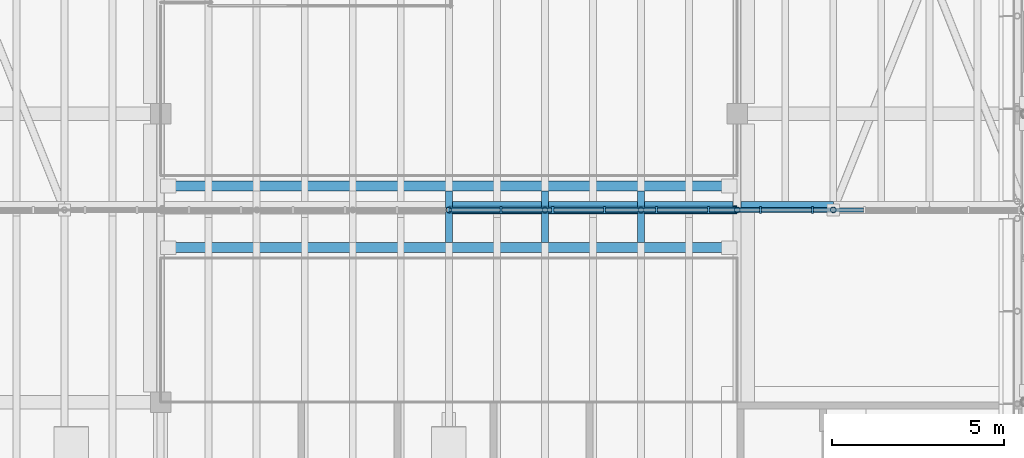
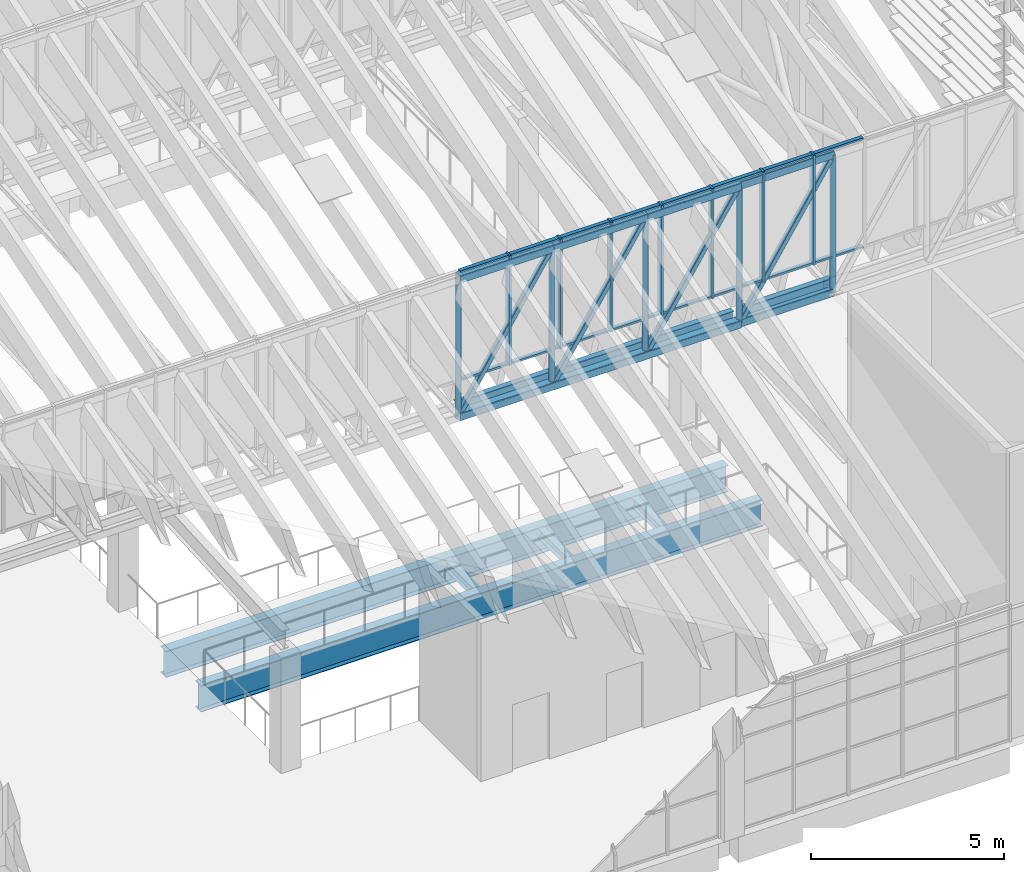
# One storey, part 11 of 91: 38 members, 9 beams, 1 element without a shape of its own.
"""IFC4 building model written with IfcOpenShell, lengths in metres."""

from ifc_helpers import new_model, si_unit, direction, frame, origin, origin_2d, place, context, subcontext, project, spatial, rectangle, hollow_rectangle, hollow_circle, i_section, extrude, material, material_profile, profile_set, type_object, element, aggregate, save


model = new_model("IFC4")

# Units and contexts
model_context = context("Model", 3, precision=1e-05, world=origin(), true_north=direction((0.0, 1.0)))
body_context = subcontext(model_context, "Body", "Model", "MODEL_VIEW")
ifc_project = project(units=[si_unit("LENGTHUNIT", "METRE"), si_unit("AREAUNIT", "SQUARE_METRE"), si_unit("VOLUMEUNIT", "CUBIC_METRE"), si_unit("PLANEANGLEUNIT", "RADIAN"), si_unit("MASSUNIT", "GRAM", prefix="KILO")], contexts=[model_context])

# Site, building, storey
site_placement = place(None, origin())
site = spatial("IfcSite", under=ifc_project, at=site_placement, CompositionType="ELEMENT")
building_placement = place(site_placement, origin())
building = spatial("IfcBuilding", under=site, at=building_placement, Name="Almond Square Museum", CompositionType="ELEMENT")
storey_placement = place(building_placement, frame((0.0, 0.0, 30.0)))
storey = spatial("IfcBuildingStorey", under=building, at=storey_placement, Name="L05", CompositionType="ELEMENT", Elevation=30.0)

# Curtain wall, members
ifc_material_1 = material(Name="Aluminium and laminated glass", Category="aluminium")
curtain_wall_type = type_object("IfcCurtainWallType", Name="Unitised curtain wall 1500 module", PredefinedType="NOTDEFINED", material=ifc_material_1)
curtain_wall_placement = place(storey_placement, origin())
curtain_wall = element("IfcCurtainWall", 1, at=curtain_wall_placement, inside=storey, type_object=curtain_wall_type, Name="Rooflight glazing AG1", PredefinedType="NOTDEFINED")
ifc_material_2 = material(Name="Anodised aluminium", Category="aluminium")
ifc_material_profile_1 = material_profile(ifc_material_2, rectangle(XDim=0.199951171875, YDim=0.06005859375, at=origin_2d()))
ifc_profile_set_1 = profile_set([ifc_material_profile_1], Name="Anodised aluminium")
member_type_1 = type_object("IfcMemberType", Name="Aluminium mullion 60 x 200", PredefinedType="MULLION", material=ifc_profile_set_1)
member_1_placement = place(storey_placement, frame((91.513671875, 81.199951171875, 5.800048828125), z_axis=(0.0, 0.0, 1.0), x_axis=(0.0, 1.0, 0.0)))
member_1 = element("IfcMember", 2, at=member_1_placement, type_object=member_type_1, Name="CW-56 mullion 13", PredefinedType="MULLION", context=body_context, shape_type="SweptSolid", body=[
    extrude(rectangle(XDim=0.199951171875, YDim=0.06005859375, at=origin_2d()), origin(), (0.0, 0.0, 1.0), 3.480224609375),
])
member_2_placement = place(storey_placement, frame((93.02734375, 81.199951171875, 5.800048828125), z_axis=(0.0, 0.0, 1.0), x_axis=(0.0, 1.0, 0.0)))
member_2 = element("IfcMember", 3, at=member_2_placement, type_object=member_type_1, Name="CW-56 mullion 14", PredefinedType="MULLION", context=body_context, shape_type="SweptSolid", body=[
    extrude(rectangle(XDim=0.199951171875, YDim=0.06005859375, at=origin_2d()), origin(), (0.0, 0.0, 1.0), 3.480224609375),
])
member_3_placement = place(storey_placement, frame((94.541015625, 81.199951171875, 5.800048828125), z_axis=(0.0, 0.0, 1.0), x_axis=(0.0, 1.0, 0.0)))
member_3 = element("IfcMember", 4, at=member_3_placement, type_object=member_type_1, Name="CW-56 mullion 15", PredefinedType="MULLION", context=body_context, shape_type="SweptSolid", body=[
    extrude(rectangle(XDim=0.199951171875, YDim=0.06005859375, at=origin_2d()), origin(), (0.0, 0.0, 1.0), 3.480224609375),
])
member_4_placement = place(storey_placement, frame((96.054443359375, 81.199951171875, 5.800048828125), z_axis=(0.0, 0.0, 1.0), x_axis=(0.0, 1.0, 0.0)))
member_4 = element("IfcMember", 5, at=member_4_placement, type_object=member_type_1, Name="CW-56 mullion 16", PredefinedType="MULLION", context=body_context, shape_type="SweptSolid", body=[
    extrude(rectangle(XDim=0.199951171875, YDim=0.06005859375, at=origin_2d()), origin(), (0.0, 0.0, 1.0), 3.480224609375),
])
member_5_placement = place(storey_placement, frame((97.568115234375, 81.199951171875, 5.800048828125), z_axis=(0.0, 0.0, 1.0), x_axis=(0.0, 1.0, 0.0)))
member_5 = element("IfcMember", 6, at=member_5_placement, type_object=member_type_1, Name="CW-56 mullion 17", PredefinedType="MULLION", context=body_context, shape_type="SweptSolid", body=[
    extrude(rectangle(XDim=0.199951171875, YDim=0.06005859375, at=origin_2d()), origin(), (0.0, 0.0, 1.0), 3.480224609375),
])
member_6_placement = place(storey_placement, frame((99.081787109375, 81.199951171875, 5.800048828125), z_axis=(0.0, 0.0, 1.0), x_axis=(0.0, 1.0, 0.0)))
member_6 = element("IfcMember", 7, at=member_6_placement, type_object=member_type_1, Name="CW-56 mullion 18", PredefinedType="MULLION", context=body_context, shape_type="SweptSolid", body=[
    extrude(rectangle(XDim=0.199951171875, YDim=0.06005859375, at=origin_2d()), origin(), (0.0, 0.0, 1.0), 3.480224609375),
])
member_7_placement = place(storey_placement, frame((100.595458984375, 81.199951171875, 5.800048828125), z_axis=(0.0, 0.0, 1.0), x_axis=(0.0, 1.0, 0.0)))
member_7 = element("IfcMember", 8, at=member_7_placement, type_object=member_type_1, Name="CW-56 mullion 19", PredefinedType="MULLION", context=body_context, shape_type="SweptSolid", body=[
    extrude(rectangle(XDim=0.199951171875, YDim=0.06005859375, at=origin_2d()), origin(), (0.0, 0.0, 1.0), 3.480224609375),
])
ifc_material_3 = material(Name="Anodised aluminium", Category="aluminium")
ifc_material_profile_2 = material_profile(ifc_material_3, rectangle(XDim=0.1201171875, YDim=0.06005859375, at=origin_2d()))
ifc_profile_set_2 = profile_set([ifc_material_profile_2], Name="Anodised aluminium")
member_type_2 = type_object("IfcMemberType", Name="Aluminium transom 60 x 120", PredefinedType="USERDEFINED", material=ifc_profile_set_2)
member_8_placement = place(storey_placement, frame((90.030029296875, 81.199951171875, 5.830078125), z_axis=(1.0, 0.0, 0.0), x_axis=(0.0, 1.0, 0.0)))
member_8 = element("IfcMember", 9, at=member_8_placement, type_object=member_type_2, Name="CW-56 transom 12.1", ObjectType="TRANSOM", PredefinedType="USERDEFINED", context=body_context, shape_type="SweptSolid", body=[
    extrude(rectangle(XDim=0.1201171875, YDim=0.06005859375, at=origin_2d()), origin(), (0.0, 0.0, 1.0), 1.45361328125),
])
member_9_placement = place(storey_placement, frame((90.030029296875, 81.199951171875, 9.250244140625), z_axis=(1.0, 0.0, 0.0), x_axis=(0.0, 1.0, 0.0)))
member_9 = element("IfcMember", 10, at=member_9_placement, type_object=member_type_2, Name="CW-56 transom 12.2", ObjectType="TRANSOM", PredefinedType="USERDEFINED", context=body_context, shape_type="SweptSolid", body=[
    extrude(rectangle(XDim=0.1201171875, YDim=0.06005859375, at=origin_2d()), origin(), (0.0, 0.0, 1.0), 1.45361328125),
])
member_10_placement = place(storey_placement, frame((91.543701171875, 81.199951171875, 5.830078125), z_axis=(1.0, 0.0, 0.0), x_axis=(0.0, 1.0, 0.0)))
member_10 = element("IfcMember", 11, at=member_10_placement, type_object=member_type_2, Name="CW-56 transom 13.1", ObjectType="TRANSOM", PredefinedType="USERDEFINED", context=body_context, shape_type="SweptSolid", body=[
    extrude(rectangle(XDim=0.1201171875, YDim=0.06005859375, at=origin_2d()), origin(), (0.0, 0.0, 1.0), 1.45361328125),
])
member_11_placement = place(storey_placement, frame((91.543701171875, 81.199951171875, 9.250244140625), z_axis=(1.0, 0.0, 0.0), x_axis=(0.0, 1.0, 0.0)))
member_11 = element("IfcMember", 12, at=member_11_placement, type_object=member_type_2, Name="CW-56 transom 13.2", ObjectType="TRANSOM", PredefinedType="USERDEFINED", context=body_context, shape_type="SweptSolid", body=[
    extrude(rectangle(XDim=0.1201171875, YDim=0.06005859375, at=origin_2d()), origin(), (0.0, 0.0, 1.0), 1.45361328125),
])
member_12_placement = place(storey_placement, frame((93.057373046875, 81.199951171875, 5.830078125), z_axis=(1.0, 0.0, 0.0), x_axis=(0.0, 1.0, 0.0)))
member_12 = element("IfcMember", 13, at=member_12_placement, type_object=member_type_2, Name="CW-56 transom 14.1", ObjectType="TRANSOM", PredefinedType="USERDEFINED", context=body_context, shape_type="SweptSolid", body=[
    extrude(rectangle(XDim=0.1201171875, YDim=0.06005859375, at=origin_2d()), origin(), (0.0, 0.0, 1.0), 1.45361328125),
])
member_13_placement = place(storey_placement, frame((93.057373046875, 81.199951171875, 9.250244140625), z_axis=(1.0, 0.0, 0.0), x_axis=(0.0, 1.0, 0.0)))
member_13 = element("IfcMember", 14, at=member_13_placement, type_object=member_type_2, Name="CW-56 transom 14.2", ObjectType="TRANSOM", PredefinedType="USERDEFINED", context=body_context, shape_type="SweptSolid", body=[
    extrude(rectangle(XDim=0.1201171875, YDim=0.06005859375, at=origin_2d()), origin(), (0.0, 0.0, 1.0), 1.45361328125),
])
member_14_placement = place(storey_placement, frame((94.57080078125, 81.199951171875, 5.830078125), z_axis=(1.0, 0.0, 0.0), x_axis=(0.0, 1.0, 0.0)))
member_14 = element("IfcMember", 15, at=member_14_placement, type_object=member_type_2, Name="CW-56 transom 15.1", ObjectType="TRANSOM", PredefinedType="USERDEFINED", context=body_context, shape_type="SweptSolid", body=[
    extrude(rectangle(XDim=0.1201171875, YDim=0.06005859375, at=origin_2d()), origin(), (0.0, 0.0, 1.0), 1.453857421875),
])
member_15_placement = place(storey_placement, frame((94.57080078125, 81.199951171875, 9.250244140625), z_axis=(1.0, 0.0, 0.0), x_axis=(0.0, 1.0, 0.0)))
member_15 = element("IfcMember", 16, at=member_15_placement, type_object=member_type_2, Name="CW-56 transom 15.2", ObjectType="TRANSOM", PredefinedType="USERDEFINED", context=body_context, shape_type="SweptSolid", body=[
    extrude(rectangle(XDim=0.1201171875, YDim=0.06005859375, at=origin_2d()), origin(), (0.0, 0.0, 1.0), 1.453857421875),
])
member_16_placement = place(storey_placement, frame((96.08447265625, 81.199951171875, 5.830078125), z_axis=(1.0, 0.0, 0.0), x_axis=(0.0, 1.0, 0.0)))
member_16 = element("IfcMember", 17, at=member_16_placement, type_object=member_type_2, Name="CW-56 transom 16.1", ObjectType="TRANSOM", PredefinedType="USERDEFINED", context=body_context, shape_type="SweptSolid", body=[
    extrude(rectangle(XDim=0.1201171875, YDim=0.06005859375, at=origin_2d()), origin(), (0.0, 0.0, 1.0), 1.45361328125),
])
member_17_placement = place(storey_placement, frame((96.08447265625, 81.199951171875, 9.250244140625), z_axis=(1.0, 0.0, 0.0), x_axis=(0.0, 1.0, 0.0)))
member_17 = element("IfcMember", 18, at=member_17_placement, type_object=member_type_2, Name="CW-56 transom 16.2", ObjectType="TRANSOM", PredefinedType="USERDEFINED", context=body_context, shape_type="SweptSolid", body=[
    extrude(rectangle(XDim=0.1201171875, YDim=0.06005859375, at=origin_2d()), origin(), (0.0, 0.0, 1.0), 1.45361328125),
])
member_18_placement = place(storey_placement, frame((97.59814453125, 81.199951171875, 5.830078125), z_axis=(1.0, 0.0, 0.0), x_axis=(0.0, 1.0, 0.0)))
member_18 = element("IfcMember", 19, at=member_18_placement, type_object=member_type_2, Name="CW-56 transom 17.1", ObjectType="TRANSOM", PredefinedType="USERDEFINED", context=body_context, shape_type="SweptSolid", body=[
    extrude(rectangle(XDim=0.1201171875, YDim=0.06005859375, at=origin_2d()), origin(), (0.0, 0.0, 1.0), 1.45361328125),
])
member_19_placement = place(storey_placement, frame((97.59814453125, 81.199951171875, 9.250244140625), z_axis=(1.0, 0.0, 0.0), x_axis=(0.0, 1.0, 0.0)))
member_19 = element("IfcMember", 20, at=member_19_placement, type_object=member_type_2, Name="CW-56 transom 17.2", ObjectType="TRANSOM", PredefinedType="USERDEFINED", context=body_context, shape_type="SweptSolid", body=[
    extrude(rectangle(XDim=0.1201171875, YDim=0.06005859375, at=origin_2d()), origin(), (0.0, 0.0, 1.0), 1.45361328125),
])
member_20_placement = place(storey_placement, frame((99.11181640625, 81.199951171875, 5.830078125), z_axis=(1.0, 0.0, 0.0), x_axis=(0.0, 1.0, 0.0)))
member_20 = element("IfcMember", 21, at=member_20_placement, type_object=member_type_2, Name="CW-56 transom 18.1", ObjectType="TRANSOM", PredefinedType="USERDEFINED", context=body_context, shape_type="SweptSolid", body=[
    extrude(rectangle(XDim=0.1201171875, YDim=0.06005859375, at=origin_2d()), origin(), (0.0, 0.0, 1.0), 1.45361328125),
])
member_21_placement = place(storey_placement, frame((99.11181640625, 81.199951171875, 9.250244140625), z_axis=(1.0, 0.0, 0.0), x_axis=(0.0, 1.0, 0.0)))
member_21 = element("IfcMember", 22, at=member_21_placement, type_object=member_type_2, Name="CW-56 transom 18.2", ObjectType="TRANSOM", PredefinedType="USERDEFINED", context=body_context, shape_type="SweptSolid", body=[
    extrude(rectangle(XDim=0.1201171875, YDim=0.06005859375, at=origin_2d()), origin(), (0.0, 0.0, 1.0), 1.45361328125),
])
member_22_placement = place(storey_placement, frame((100.62548828125, 81.199951171875, 5.830078125), z_axis=(1.0, 0.0, 0.0), x_axis=(0.0, 1.0, 0.0)))
member_22 = element("IfcMember", 23, at=member_22_placement, type_object=member_type_2, Name="CW-56 transom 19.1", ObjectType="TRANSOM", PredefinedType="USERDEFINED", context=body_context, shape_type="SweptSolid", body=[
    extrude(rectangle(XDim=0.1201171875, YDim=0.06005859375, at=origin_2d()), origin(), (0.0, 0.0, 1.0), 1.45361328125),
])
member_23_placement = place(storey_placement, frame((100.62548828125, 81.199951171875, 9.250244140625), z_axis=(1.0, 0.0, 0.0), x_axis=(0.0, 1.0, 0.0)))
member_23 = element("IfcMember", 24, at=member_23_placement, type_object=member_type_2, Name="CW-56 transom 19.2", ObjectType="TRANSOM", PredefinedType="USERDEFINED", context=body_context, shape_type="SweptSolid", body=[
    extrude(rectangle(XDim=0.1201171875, YDim=0.06005859375, at=origin_2d()), origin(), (0.0, 0.0, 1.0), 1.45361328125),
])
aggregate(curtain_wall, [member_1, member_2, member_3, member_4, member_5, member_6, member_7, member_8, member_9, member_10, member_11, member_12, member_13, member_14, member_15, member_16, member_17, member_18, member_19, member_20, member_21, member_22, member_23])

# Beams
ifc_material_4 = material(Name="Structural steel S355", Category="steel")
ifc_material_profile_3 = material_profile(ifc_material_4, i_section(OverallWidth=0.202880859375, OverallDepth=0.302001953125, WebThickness=0.007568359375, FlangeThickness=0.01318359375, at=origin_2d()))
ifc_profile_set_3 = profile_set([ifc_material_profile_3], Name="Structural steel S355")
beam_type_1 = type_object("IfcBeamType", Name="Floor beam W310x60", PredefinedType="BEAM", material=ifc_profile_set_3)
for number, where, z_axis, x_axis, name in (
    (25, (90.0, 80.24609375, -0.301025390625), (0.0, 1.0, 0.0), (-1.0, 0.0, 0.0), "Bridge 7 cross beam 3"),
    (26, (92.800048828125, 80.24609375, -0.301025390625), (0.0, 1.0, 0.0), (-1.0, 0.0, 0.0), "Bridge 7 cross beam 4"),
    (27, (95.60009765625, 80.24609375, -0.301025390625), (0.0, 1.0, 0.0), (-1.0, 0.0, 0.0), "Bridge 7 cross beam 5"),
):
    element("IfcBeam", number, at=place(storey_placement, frame(where, z_axis=z_axis, x_axis=x_axis)), inside=storey, type_object=beam_type_1, Name=name, PredefinedType="BEAM", context=body_context, shape_type="SweptSolid", body=[
        extrude(i_section(OverallWidth=0.202880859375, OverallDepth=0.302001953125, WebThickness=0.007568359375, FlangeThickness=0.01318359375, at=origin_2d()), origin(), (0.0, 0.0, 1.0), 1.5078125),
    ])
ifc_material_5 = material(Name="Structural steel S355", Category="steel")
ifc_material_profile_4 = material_profile(ifc_material_5, i_section(OverallWidth=0.2919921875, OverallDepth=0.8359375, WebThickness=0.013916015625, FlangeThickness=0.018798828125, at=origin_2d()))
ifc_profile_set_4 = profile_set([ifc_material_profile_4], Name="Structural steel S355")
beam_type_2 = type_object("IfcBeamType", Name="Girder W840x176", PredefinedType="BEAM", material=ifc_profile_set_4)
for number, where, z_axis, x_axis, name in (
    (28, (81.60009765625, 80.10009765625, -0.568115234375), (1.0, 0.0, 0.0), (0.0, 1.0, 0.0), "Bridge 7 girder 1"),
    (29, (81.60009765625, 81.89990234375, -0.568115234375), (1.0, 0.0, 0.0), (0.0, 1.0, 0.0), "Bridge 7 girder 2"),
):
    element("IfcBeam", number, at=place(storey_placement, frame(where, z_axis=z_axis, x_axis=x_axis)), inside=storey, type_object=beam_type_2, Name=name, PredefinedType="BEAM", context=body_context, shape_type="SweptSolid", body=[
        extrude(i_section(OverallWidth=0.2919921875, OverallDepth=0.8359375, WebThickness=0.013916015625, FlangeThickness=0.018798828125, at=origin_2d()), origin(), (0.0, 0.0, 1.0), 16.7998046875),
    ])

# Members
ifc_material_6 = material(Name="Structural steel S355", Category="steel")
ifc_material_profile_5 = material_profile(ifc_material_6, hollow_rectangle(XDim=0.14990234375, YDim=0.25, WallThickness=0.010009765625, InnerFilletRadius=0.014892578125, OuterFilletRadius=0.02490234375, at=origin_2d()))
ifc_profile_set_5 = profile_set([ifc_material_profile_5], Name="Structural steel S355")
member_type_3 = type_object("IfcMemberType", Name="Truss chord RHS 250x150x10", PredefinedType="CHORD", material=ifc_profile_set_5)
for number, where, z_axis, x_axis, name in (
    (30, (98.39990234375, 81.199951171875, 9.05078125), (1.0, 0.0, 0.0), (0.0, 1.0, 0.0), "TR-10 top chord 10"),
    (31, (98.39990234375, 81.199951171875, 4.705078125), (1.0, 0.0, 0.0), (0.0, 1.0, 0.0), "TR-10 bottom chord 10"),
):
    element("IfcMember", number, at=place(storey_placement, frame(where, z_axis=z_axis, x_axis=x_axis)), inside=storey, type_object=member_type_3, Name=name, PredefinedType="CHORD", context=body_context, shape_type="SweptSolid", body=[
        extrude(hollow_rectangle(XDim=0.14990234375, YDim=0.25, WallThickness=0.010009765625, InnerFilletRadius=0.014892578125, OuterFilletRadius=0.02490234375, at=origin_2d()), origin(), (0.0, 0.0, 1.0), 2.800048828125),
    ])
ifc_material_7 = material(Name="Structural steel S355", Category="steel")
ifc_material_profile_6 = material_profile(ifc_material_7, hollow_rectangle(XDim=0.25, YDim=0.25, WallThickness=0.012451171875, InnerFilletRadius=0.02490234375, OuterFilletRadius=0.03759765625, at=origin_2d()))
ifc_profile_set_6 = profile_set([ifc_material_profile_6], Name="Structural steel S355")
member_type_4 = type_object("IfcMemberType", Name="Truss chord SHS 250x250x12.5", PredefinedType="CHORD", material=ifc_profile_set_6)
member_24_placement = place(storey_placement, frame((90.0, 81.199951171875, 9.05078125), z_axis=(1.0, 0.0, 0.0), x_axis=(0.0, 1.0, 0.0)))
element("IfcMember", 32, at=member_24_placement, inside=storey, type_object=member_type_4, Name="TR-10 top chord 7", PredefinedType="CHORD", context=body_context, shape_type="SweptSolid", body=[
    extrude(hollow_rectangle(XDim=0.25, YDim=0.25, WallThickness=0.012451171875, InnerFilletRadius=0.02490234375, OuterFilletRadius=0.03759765625, at=origin_2d()), origin(), (0.0, 0.0, 1.0), 2.800048828125),
])
member_25_placement = place(storey_placement, frame((90.0, 81.199951171875, 4.705078125), z_axis=(1.0, 0.0, 0.0), x_axis=(0.0, 1.0, 0.0)))
element("IfcMember", 33, at=member_25_placement, inside=storey, type_object=member_type_4, Name="TR-10 bottom chord 7 to 9", PredefinedType="CHORD", context=body_context, shape_type="SweptSolid", body=[
    extrude(hollow_rectangle(XDim=0.25, YDim=0.25, WallThickness=0.012451171875, InnerFilletRadius=0.02490234375, OuterFilletRadius=0.03759765625, at=origin_2d()), origin(), (0.0, 0.0, 1.0), 8.39990234375),
])
member_26_placement = place(storey_placement, frame((92.800048828125, 81.199951171875, 9.05078125), z_axis=(1.0, 0.0, 0.0), x_axis=(0.0, 1.0, 0.0)))
element("IfcMember", 34, at=member_26_placement, inside=storey, type_object=member_type_4, Name="TR-10 top chord 8", PredefinedType="CHORD", context=body_context, shape_type="SweptSolid", body=[
    extrude(hollow_rectangle(XDim=0.25, YDim=0.25, WallThickness=0.012451171875, InnerFilletRadius=0.02490234375, OuterFilletRadius=0.03759765625, at=origin_2d()), origin(), (0.0, 0.0, 1.0), 2.800048828125),
])
member_27_placement = place(storey_placement, frame((95.60009765625, 81.199951171875, 9.05078125), z_axis=(1.0, 0.0, 0.0), x_axis=(0.0, 1.0, 0.0)))
element("IfcMember", 35, at=member_27_placement, inside=storey, type_object=member_type_4, Name="TR-10 top chord 9", PredefinedType="CHORD", context=body_context, shape_type="SweptSolid", body=[
    extrude(hollow_rectangle(XDim=0.25, YDim=0.25, WallThickness=0.012451171875, InnerFilletRadius=0.02490234375, OuterFilletRadius=0.03759765625, at=origin_2d()), origin(), (0.0, 0.0, 1.0), 2.7998046875),
])
ifc_material_8 = material(Name="Structural steel S355", Category="steel")
ifc_material_profile_7 = material_profile(ifc_material_8, hollow_rectangle(XDim=0.14990234375, YDim=0.14990234375, WallThickness=0.008056640625, InnerFilletRadius=0.011962890625, OuterFilletRadius=0.02001953125, at=origin_2d()))
ifc_profile_set_7 = profile_set([ifc_material_profile_7], Name="Structural steel S355")
member_type_5 = type_object("IfcMemberType", Name="Truss diagonal SHS 150x150x8", PredefinedType="BRACE", material=ifc_profile_set_7)
for number, where, z_axis, x_axis, name in (
    (36, (90.0, 81.199951171875, 4.705078125), (0.541630888831, 0.0, 0.840616428738), (0.0, 1.0, 0.0), "TR-10 diagonal 7"),
    (37, (92.800048828125, 81.199951171875, 4.705078125), (0.541630888831, 0.0, 0.840616428738), (0.0, 1.0, 0.0), "TR-10 diagonal 8"),
):
    element("IfcMember", number, at=place(storey_placement, frame(where, z_axis=z_axis, x_axis=x_axis)), inside=storey, type_object=member_type_5, Name=name, PredefinedType="BRACE", context=body_context, shape_type="SweptSolid", body=[
        extrude(hollow_rectangle(XDim=0.14990234375, YDim=0.14990234375, WallThickness=0.008056640625, InnerFilletRadius=0.011962890625, OuterFilletRadius=0.02001953125, at=origin_2d()), origin(), (0.0, 0.0, 1.0), 5.169677734375),
    ])
member_28_placement = place(storey_placement, frame((95.60009765625, 81.199951171875, 4.705078125), z_axis=(0.541597516213, 0.0, 0.840637930641), x_axis=(0.0, 1.0, 0.0)))
element("IfcMember", 38, at=member_28_placement, inside=storey, type_object=member_type_5, Name="TR-10 diagonal 9", PredefinedType="BRACE", context=body_context, shape_type="SweptSolid", body=[
    extrude(hollow_rectangle(XDim=0.14990234375, YDim=0.14990234375, WallThickness=0.008056640625, InnerFilletRadius=0.011962890625, OuterFilletRadius=0.02001953125, at=origin_2d()), origin(), (0.0, 0.0, 1.0), 5.16943359375),
])
member_29_placement = place(storey_placement, frame((98.39990234375, 81.199951171875, 4.705078125), z_axis=(0.541630888831, 0.0, 0.840616428738), x_axis=(0.0, 1.0, 0.0)))
element("IfcMember", 39, at=member_29_placement, inside=storey, type_object=member_type_5, Name="TR-10 diagonal 10", PredefinedType="BRACE", context=body_context, shape_type="SweptSolid", body=[
    extrude(hollow_rectangle(XDim=0.14990234375, YDim=0.14990234375, WallThickness=0.008056640625, InnerFilletRadius=0.011962890625, OuterFilletRadius=0.02001953125, at=origin_2d()), origin(), (0.0, 0.0, 1.0), 5.169677734375),
])
ifc_material_9 = material(Name="Structural steel S355", Category="steel")
ifc_material_profile_8 = material_profile(ifc_material_9, hollow_circle(Radius=0.084228515625, WallThickness=0.008056640625, at=origin_2d()))
ifc_profile_set_8 = profile_set([ifc_material_profile_8], Name="Structural steel S355")
member_type_6 = type_object("IfcMemberType", Name="Truss post CHS 168.3x8", PredefinedType="POST", material=ifc_profile_set_8)
for number, where, z_axis, x_axis, name in (
    (40, (90.0, 81.199951171875, 4.705078125), (0.0, 0.0, 1.0), (1.0, 0.0, 0.0), "TR-10 post 7"),
    (41, (92.800048828125, 81.199951171875, 4.705078125), (0.0, 0.0, 1.0), (1.0, 0.0, 0.0), "TR-10 post 8"),
    (42, (95.60009765625, 81.199951171875, 4.705078125), (0.0, 0.0, 1.0), (1.0, 0.0, 0.0), "TR-10 post 9"),
    (43, (98.39990234375, 81.199951171875, 4.705078125), (0.0, 0.0, 1.0), (1.0, 0.0, 0.0), "TR-10 post 10"),
    (44, (101.199951171875, 81.199951171875, 4.705078125), (0.0, 0.0, 1.0), (1.0, 0.0, 0.0), "TR-10 post 11"),
):
    element("IfcMember", number, at=place(storey_placement, frame(where, z_axis=z_axis, x_axis=x_axis)), inside=storey, type_object=member_type_6, Name=name, PredefinedType="POST", context=body_context, shape_type="SweptSolid", body=[
        extrude(hollow_circle(Radius=0.084228515625, WallThickness=0.008056640625, at=origin_2d()), origin(), (0.0, 0.0, 1.0), 4.345703125),
    ])

# Beams
ifc_material_10 = material(Name="Structural steel S355", Category="steel")
ifc_material_profile_9 = material_profile(ifc_material_10, i_section(OverallWidth=0.166015625, OverallDepth=0.528076171875, WebThickness=0.009765625, FlangeThickness=0.013671875, at=origin_2d()))
ifc_profile_set_9 = profile_set([ifc_material_profile_9], Name="Structural steel S355")
beam_type_3 = type_object("IfcBeamType", Name="Valley beam W530x74", PredefinedType="BEAM", material=ifc_profile_set_9)
for number, where, z_axis, x_axis, name in (
    (45, (90.0, 81.35791015625, 4.787841796875), (1.0, 0.0, 0.0), (0.0, 1.0, 0.0), "Atrium valley beam 1.7"),
    (46, (92.800048828125, 81.35791015625, 4.787841796875), (1.0, 0.0, 0.0), (0.0, 1.0, 0.0), "Atrium valley beam 1.8"),
):
    element("IfcBeam", number, at=place(storey_placement, frame(where, z_axis=z_axis, x_axis=x_axis)), inside=storey, type_object=beam_type_3, Name=name, PredefinedType="BEAM", context=body_context, shape_type="SweptSolid", body=[
        extrude(i_section(OverallWidth=0.166015625, OverallDepth=0.528076171875, WebThickness=0.009765625, FlangeThickness=0.013671875, at=origin_2d()), origin(), (0.0, 0.0, 1.0), 2.800048828125),
    ])
beam_1_placement = place(storey_placement, frame((95.60009765625, 81.35791015625, 4.787841796875), z_axis=(1.0, 0.0, 0.0), x_axis=(0.0, 1.0, 0.0)))
element("IfcBeam", 47, at=beam_1_placement, inside=storey, type_object=beam_type_3, Name="Atrium valley beam 1.9", PredefinedType="BEAM", context=body_context, shape_type="SweptSolid", body=[
    extrude(i_section(OverallWidth=0.166015625, OverallDepth=0.528076171875, WebThickness=0.009765625, FlangeThickness=0.013671875, at=origin_2d()), origin(), (0.0, 0.0, 1.0), 2.685791015625),
])
beam_2_placement = place(storey_placement, frame((98.513916015625, 81.35791015625, 4.787841796875), z_axis=(1.0, 0.0, 0.0), x_axis=(0.0, 1.0, 0.0)))
element("IfcBeam", 48, at=beam_2_placement, inside=storey, type_object=beam_type_3, Name="Atrium valley beam 1.10", PredefinedType="BEAM", context=body_context, shape_type="SweptSolid", body=[
    extrude(i_section(OverallWidth=0.166015625, OverallDepth=0.528076171875, WebThickness=0.009765625, FlangeThickness=0.013671875, at=origin_2d()), origin(), (0.0, 0.0, 1.0), 2.68603515625),
])

save(model, "model.ifc")
